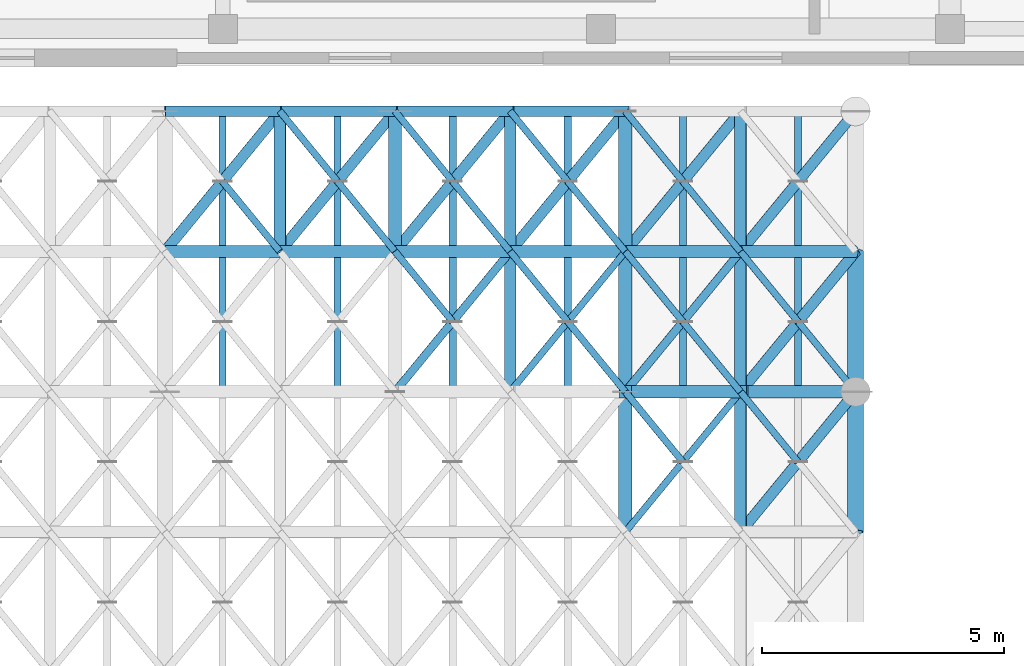
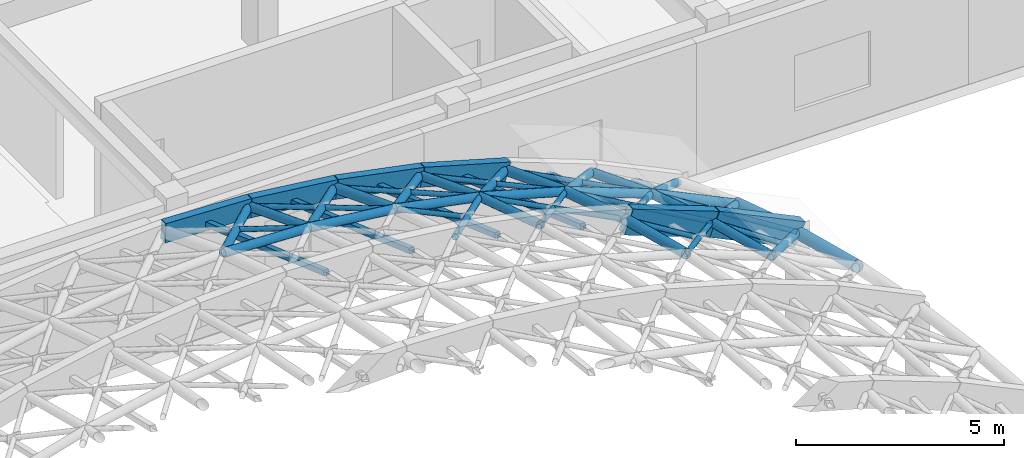
# One storey, part 73 of 146: 54 members, 6 beams.
"""IFC4 building model written with IfcOpenShell, lengths in metres."""

import ifcopenshell
import ifcopenshell.guid

model = None  # the IFC model being written
_history = None  # IfcOwnerHistory: only IFC2X3 demands one
_inside = {}  # id of a spatial element -> (the spatial element, [elements in it])
_under = {}  # id of a project, library or spatial element -> (it, [spatial elements below it])
_declared = {}  # id of a project -> (the project, [libraries it declares])
_typed = {}  # id of a type object -> (the type object, [elements of that type])
_made_of = {}  # id of a material, layer set ... -> (it, [elements and type objects made of it])


def new_model(schema):
    """Start an empty IFC model of exactly this schema.

    Asked for "IFC4X3", IfcOpenShell would pick the latest addendum, in which some entities
    have other attributes; the version numbers below select the first issue.
    IFC2X3 requires an IfcOwnerHistory on every rooted entity: one is made here for all.
    """
    global model, _history
    if schema == "IFC4X3":
        model = ifcopenshell.file(schema_version=(4, 3, 0, 0))
    else:
        model = ifcopenshell.file(schema=schema)
    _inside.clear()
    _under.clear()
    _declared.clear()
    _typed.clear()
    _made_of.clear()
    _history = None
    if model.schema == "IFC2X3":
        org = make("IfcOrganization", Name="unknown")
        user = make(
            "IfcPersonAndOrganization",
            ThePerson=make("IfcPerson", FamilyName="unknown"),
            TheOrganization=org,
        )
        app = make(
            "IfcApplication",
            ApplicationDeveloper=org,
            Version="unknown",
            ApplicationFullName="unknown",
            ApplicationIdentifier="unknown",
        )
        _history = make(
            "IfcOwnerHistory",
            OwningUser=user,
            OwningApplication=app,
            ChangeAction="ADDED",
            CreationDate=0,
        )
    return model


def make(cls, **values):
    """One entity of the class cls with the attributes given. An attribute that is None is left unset."""
    return model.create_entity(
        cls, **{name: value for name, value in values.items() if value is not None}
    )


def rooted(cls, **values):
    """An entity with a GlobalId (a new one), such as an element, a storey or a relation."""
    return make(cls, GlobalId=ifcopenshell.guid.new(), OwnerHistory=_history, **values)


def si_unit(unit_type, name, prefix=None):
    """IfcSIUnit, for example si_unit("LENGTHUNIT", "METRE", prefix="MILLI")."""
    return make("IfcSIUnit", UnitType=unit_type, Prefix=prefix, Name=name)


def assignment(units):
    """IfcUnitAssignment: the units of a project."""
    return None if units is None else make("IfcUnitAssignment", Units=units)


def point(xyz):
    """IfcCartesianPoint."""
    return None if xyz is None else make("IfcCartesianPoint", Coordinates=xyz)


def direction(xyz):
    """IfcDirection."""
    return None if xyz is None else make("IfcDirection", DirectionRatios=xyz)


def frame(location, z_axis=None, x_axis=None):
    """IfcAxis2Placement3D, a coordinate frame: its origin and axes. An axis left out is left unset."""
    return make(
        "IfcAxis2Placement3D",
        Location=point(location),
        Axis=direction(z_axis),
        RefDirection=direction(x_axis),
    )


def frame_2d(location, x_axis=None):
    """IfcAxis2Placement2D, a coordinate frame in the plane: its origin and x axis."""
    return make(
        "IfcAxis2Placement2D", Location=point(location), RefDirection=direction(x_axis)
    )


def origin():
    """The frame at (0, 0, 0) with its axes left unset."""
    return frame((0.0, 0.0, 0.0))


def origin_2d():
    """The frame at (0, 0) in the plane with its x axis left unset."""
    return frame_2d((0.0, 0.0))


def place(relative_to, where):
    """IfcLocalPlacement: puts the frame where relative to a parent placement (None: the world)."""
    return make(
        "IfcLocalPlacement", PlacementRelTo=relative_to, RelativePlacement=where
    )


def context(
    kind, dimensions, precision=None, world=None, true_north=None, identifier=None
):
    """IfcGeometricRepresentationContext, for example the 3D "Model" context."""
    return make(
        "IfcGeometricRepresentationContext",
        ContextIdentifier=identifier,
        ContextType=kind,
        CoordinateSpaceDimension=dimensions,
        Precision=precision,
        WorldCoordinateSystem=world,
        TrueNorth=true_north,
    )


def subcontext(parent, identifier, kind, view, scale=None):
    """IfcGeometricRepresentationSubContext, for example "Body" below "Model"."""
    return make(
        "IfcGeometricRepresentationSubContext",
        ContextIdentifier=identifier,
        ContextType=kind,
        ParentContext=parent,
        TargetScale=scale,
        TargetView=view,
    )


def project(units=None, contexts=None):
    """IfcProject with its units and contexts."""
    return rooted(
        "IfcProject",
        Name="project",
        RepresentationContexts=contexts,
        UnitsInContext=assignment(units),
    )


def spatial(cls, under=None, at=None, **own):
    """A site, building, storey or space (cls), placed at a placement, below another one or the project."""
    s = rooted(cls, ObjectPlacement=at, **own)
    if under is not None:
        _under.setdefault(under.id(), (under, []))[1].append(s)
    return s


def profile(cls, at=None, kind="AREA", **sizes):
    """A parametric profile (cls). Its sizes go by their IFC names, for example OverallWidth=200.0."""
    return make(cls, ProfileType=kind, Position=at, **sizes)


def rectangle(**sizes):
    """IfcRectangleProfileDef."""
    return profile("IfcRectangleProfileDef", **sizes)


def hollow_rectangle(**sizes):
    """IfcRectangleHollowProfileDef."""
    return profile("IfcRectangleHollowProfileDef", **sizes)


def hollow_circle(**sizes):
    """IfcCircleHollowProfileDef."""
    return profile("IfcCircleHollowProfileDef", **sizes)


def extrude(swept, where, along, depth):
    """IfcExtrudedAreaSolid: the profile swept, set in the frame where, extruded along a direction by depth."""
    return make(
        "IfcExtrudedAreaSolid",
        SweptArea=swept,
        Position=where,
        ExtrudedDirection=direction(along),
        Depth=depth,
    )


def shape(context_of_items, identifier, shape_type, items):
    """IfcShapeRepresentation: the items that make up one representation, for example the "Body"."""
    return make(
        "IfcShapeRepresentation",
        ContextOfItems=context_of_items,
        RepresentationIdentifier=identifier,
        RepresentationType=shape_type,
        Items=items,
    )


def material(Name=None, Category=None):
    """IfcMaterial."""
    return make("IfcMaterial", Name=Name, Category=Category)


def material_profile(
    of_material, cross_section, Name=None, Category=None, Priority=None
):
    """IfcMaterialProfile: a cross section and its material."""
    return make(
        "IfcMaterialProfile",
        Name=Name,
        Material=of_material,
        Profile=cross_section,
        Priority=Priority,
        Category=Category,
    )


def profile_set(profiles, Name=None, composite=None):
    """IfcMaterialProfileSet."""
    return make(
        "IfcMaterialProfileSet",
        Name=Name,
        MaterialProfiles=profiles,
        CompositeProfile=composite,
    )


def made_of(thing, what):
    """Note that an element or type object is made of a material, layer set ...; save() writes the relation."""
    if what is not None:
        _made_of.setdefault(what.id(), (what, []))[1].append(thing)
    return thing


def type_object(cls, material=None, **own):
    """A type object (cls), such as IfcWallType, which elements share."""
    return made_of(rooted(cls, **own), material)


def element(
    cls,
    number,
    at=None,
    inside=None,
    cuts=None,
    type_object=None,
    material=None,
    context=None,
    identifier="Body",
    shape_type=None,
    held_by="IfcProductDefinitionShape",
    body=None,
    shapes=None,
    **own,
):
    """One element of the class cls, such as IfcWall. Its Tag is "e" and its number.

    at: its placement. inside: the storey or other place that contains it. cuts: it is an
    opening in that element (IfcRelVoidsElement). A single representation is given by context,
    identifier, shape_type and body (its items); several are given by shapes. held_by: the class
    of the entity that holds the representations. save() writes the other relations.
    """
    e = rooted(cls, Tag="e%d" % number, ObjectPlacement=at, **own)
    if body is not None:
        shapes = [shape(context, identifier, shape_type, body)]
    if shapes is not None:
        e.Representation = make(held_by, Representations=shapes)
    if inside is not None:
        _inside.setdefault(inside.id(), (inside, []))[1].append(e)
    if cuts is not None:
        rooted(
            "IfcRelVoidsElement", RelatingBuildingElement=cuts, RelatedOpeningElement=e
        )
    if type_object is not None:
        _typed.setdefault(type_object.id(), (type_object, []))[1].append(e)
    return made_of(e, material)


def aggregate(whole, parts):
    """IfcRelAggregates: a whole, such as a stair, and the parts it consists of."""
    return rooted("IfcRelAggregates", RelatingObject=whole, RelatedObjects=parts)


def save(model, path):
    """Write the relations noted so far, then the file.

    IfcRelAggregates (storeys below a building ...), IfcRelContainedInSpatialStructure (elements
    in a storey), IfcRelDefinesByType, IfcRelAssociatesMaterial and IfcRelDeclares: one each for
    every whole, place, type object, material and project.
    """
    for whole, parts in _under.values():
        aggregate(whole, parts)
    for where, things in _inside.values():
        rooted(
            "IfcRelContainedInSpatialStructure",
            RelatedElements=things,
            RelatingStructure=where,
        )
    for kind, things in _typed.values():
        rooted("IfcRelDefinesByType", RelatedObjects=things, RelatingType=kind)
    for what, things in _made_of.values():
        rooted("IfcRelAssociatesMaterial", RelatedObjects=things, RelatingMaterial=what)
    for by, libraries in _declared.values():
        rooted("IfcRelDeclares", RelatingContext=by, RelatedDefinitions=libraries)
    model.write(path)


model = new_model("IFC4")

# Units and contexts
model_context = context("Model", 3, precision=1e-05, world=origin(), true_north=direction((0.0, 1.0)))
body_context = subcontext(model_context, "Body", "Model", "MODEL_VIEW")
ifc_project = project(units=[si_unit("LENGTHUNIT", "METRE"), si_unit("AREAUNIT", "SQUARE_METRE"), si_unit("VOLUMEUNIT", "CUBIC_METRE"), si_unit("PLANEANGLEUNIT", "RADIAN"), si_unit("MASSUNIT", "GRAM", prefix="KILO")], contexts=[model_context])

# Site, building, storey
site_placement = place(None, origin())
site = spatial("IfcSite", under=ifc_project, at=site_placement, CompositionType="ELEMENT")
building_placement = place(site_placement, origin())
building = spatial("IfcBuilding", under=site, at=building_placement, Name="Valcora Specialist Clinic", CompositionType="ELEMENT")
storey_placement = place(building_placement, frame((0.0, 0.0, 9.52001953125)))
storey = spatial("IfcBuildingStorey", under=building, at=storey_placement, Name="L02", CompositionType="ELEMENT", Elevation=9.52001953125)

# Beams
ifc_material_1 = material(Name="Glulam Conifer Class 24F", Category="wood")
ifc_material_profile_1 = material_profile(ifc_material_1, rectangle(XDim=0.219970703125, YDim=0.56005859375, at=origin_2d()), Name="GL-ARC-220X560")
ifc_profile_set_1 = profile_set([ifc_material_profile_1], Name="Glulam Conifer Class 24F")
beam_type_1 = type_object("IfcBeamType", Name="TY-AR-GL560", PredefinedType="JOIST", material=ifc_profile_set_1)
beam_1_placement = place(storey_placement, frame((15.0, 79.25, 4.295166015625), z_axis=(0.999229898969, 0.0, -0.039237851707), x_axis=(0.0, 1.0, 0.0)))
element("IfcBeam", 1, at=beam_1_placement, inside=storey, type_object=beam_type_1, Name="Gridshell glulam arch chord BM-GSA-091", PredefinedType="JOIST", context=body_context, shape_type="SweptSolid", body=[
    extrude(rectangle(XDim=0.219970703125, YDim=0.56005859375, at=origin_2d()), origin(), (0.0, 0.0, 1.0), 2.376708984375),
])
beam_2_placement = place(storey_placement, frame((17.375, 79.25, 4.201904296875), z_axis=(0.993061123194, 0.0, -0.117599343536), x_axis=(0.0, 1.0, 0.0)))
element("IfcBeam", 2, at=beam_2_placement, inside=storey, type_object=beam_type_1, Name="Gridshell glulam arch chord BM-GSA-092", PredefinedType="JOIST", context=body_context, shape_type="SweptSolid", body=[
    extrude(rectangle(XDim=0.219970703125, YDim=0.56005859375, at=origin_2d()), origin(), (0.0, 0.0, 1.0), 2.3916015625),
])
beam_3_placement = place(storey_placement, frame((19.75, 79.25, 3.920654296875), z_axis=(0.980592304853, 0.0, -0.19605798036), x_axis=(0.0, 1.0, 0.0)))
element("IfcBeam", 3, at=beam_3_placement, inside=storey, type_object=beam_type_1, Name="Gridshell glulam arch chord BM-GSA-093", PredefinedType="JOIST", context=body_context, shape_type="SweptSolid", body=[
    extrude(rectangle(XDim=0.219970703125, YDim=0.56005859375, at=origin_2d()), origin(), (0.0, 0.0, 1.0), 2.422119140625),
])
beam_4_placement = place(storey_placement, frame((22.125, 79.25, 3.44580078125), z_axis=(0.961613421173, 0.0, -0.274407777259), x_axis=(0.0, 1.0, 0.0)))
element("IfcBeam", 4, at=beam_4_placement, inside=storey, type_object=beam_type_1, Name="Gridshell glulam arch chord BM-GSA-094", PredefinedType="JOIST", context=body_context, shape_type="SweptSolid", body=[
    extrude(rectangle(XDim=0.219970703125, YDim=0.56005859375, at=origin_2d()), origin(), (0.0, 0.0, 1.0), 2.4697265625),
])
ifc_material_profile_2 = material_profile(ifc_material_1, rectangle(XDim=0.260009765625, YDim=0.719970703125, at=origin_2d()), Name="GL-ARC-260X720")
ifc_profile_set_2 = profile_set([ifc_material_profile_2], Name="Glulam Conifer Class 24F")
beam_type_2 = type_object("IfcBeamType", Name="TY-AR-GL720", PredefinedType="JOIST", material=ifc_profile_set_2)
beam_5_placement = place(storey_placement, frame((24.5, 73.464111328125, 4.821044921875), z_axis=(0.935663448479, 0.0, -0.352893625871), x_axis=(0.0, 1.0, 0.0)))
element("IfcBeam", 5, at=beam_5_placement, inside=storey, type_object=beam_type_2, Name="Gridshell glulam arch chord BM-GSA-083", PredefinedType="JOIST", context=body_context, shape_type="SweptSolid", body=[
    extrude(rectangle(XDim=0.260009765625, YDim=0.719970703125, at=origin_2d()), origin(), (0.0, 0.0, 1.0), 2.538330078125),
])
beam_6_placement = place(storey_placement, frame((26.875, 73.464111328125, 3.92529296875), z_axis=(0.902225234529, 0.0, -0.431265146028), x_axis=(0.0, 1.0, 0.0)))
element("IfcBeam", 6, at=beam_6_placement, inside=storey, type_object=beam_type_2, Name="Gridshell glulam arch chord BM-GSA-084", PredefinedType="JOIST", context=body_context, shape_type="SweptSolid", body=[
    extrude(rectangle(XDim=0.260009765625, YDim=0.719970703125, at=origin_2d()), origin(), (0.0, 0.0, 1.0), 2.63232421875),
])

# Members
ifc_material_2 = material(Name="Steel ASTM A500 Grade C", Category="steel")
ifc_material_profile_3 = material_profile(ifc_material_2, hollow_circle(Radius=0.1220703125, WallThickness=0.010009765625, at=origin_2d()), Name="ST-CHS-244X10")
ifc_profile_set_3 = profile_set([ifc_material_profile_3], Name="Steel ASTM A500 Grade C")
member_type_1 = type_object("IfcMemberType", Name="TY-MB-GSC244", PredefinedType="CHORD", material=ifc_profile_set_3)
member_1_placement = place(storey_placement, frame((17.375, 76.35693359375, 5.324462890625), z_axis=(0.0, 0.93227902247, -0.361739995386), x_axis=(-1.0, 0.0, 0.0)))
element("IfcMember", 7, at=member_1_placement, inside=storey, type_object=member_type_1, Name="Gridshell longitudinal chord MB-L02-0112", PredefinedType="CHORD", context=body_context, shape_type="SweptSolid", body=[
    extrude(hollow_circle(Radius=0.1220703125, WallThickness=0.010009765625, at=origin_2d()), origin(), (0.0, 0.0, 1.0), 3.103271484375),
])
member_2_placement = place(storey_placement, frame((22.125, 73.464111328125, 5.498779296875), z_axis=(0.0, 0.951972538131, -0.306183419936), x_axis=(-1.0, 0.0, 0.0)))
element("IfcMember", 8, at=member_2_placement, inside=storey, type_object=member_type_1, Name="Gridshell longitudinal chord MB-L02-0139", PredefinedType="CHORD", context=body_context, shape_type="SweptSolid", body=[
    extrude(hollow_circle(Radius=0.1220703125, WallThickness=0.010009765625, at=origin_2d()), origin(), (0.0, 0.0, 1.0), 3.038818359375),
])
member_3_placement = place(storey_placement, frame((22.125, 76.35693359375, 4.568359375), z_axis=(0.0, 0.93227902247, -0.361739995386), x_axis=(-1.0, 0.0, 0.0)))
element("IfcMember", 9, at=member_3_placement, inside=storey, type_object=member_type_1, Name="Gridshell longitudinal chord MB-L02-0140", PredefinedType="CHORD", context=body_context, shape_type="SweptSolid", body=[
    extrude(hollow_circle(Radius=0.1220703125, WallThickness=0.010009765625, at=origin_2d()), origin(), (0.0, 0.0, 1.0), 3.103271484375),
])
member_4_placement = place(storey_placement, frame((26.875, 70.571044921875, 4.673583984375), z_axis=(0.0, 0.968140082086, -0.250409227983), x_axis=(-1.0, 0.0, 0.0)))
element("IfcMember", 10, at=member_4_placement, inside=storey, type_object=member_type_1, Name="Gridshell longitudinal chord MB-L02-0166", PredefinedType="CHORD", context=body_context, shape_type="SweptSolid", body=[
    extrude(hollow_circle(Radius=0.1220703125, WallThickness=0.010009765625, at=origin_2d()), origin(), (0.0, 0.0, 1.0), 2.98828125),
])
member_5_placement = place(storey_placement, frame((26.875, 73.464111328125, 3.92529296875), z_axis=(0.0, 0.95199595387, -0.30611060716), x_axis=(-1.0, 0.0, 0.0)))
element("IfcMember", 11, at=member_5_placement, inside=storey, type_object=member_type_1, Name="Gridshell longitudinal chord MB-L02-0167", PredefinedType="CHORD", context=body_context, shape_type="SweptSolid", body=[
    extrude(hollow_circle(Radius=0.1220703125, WallThickness=0.010009765625, at=origin_2d()), origin(), (0.0, 0.0, 1.0), 3.03857421875),
])
member_6_placement = place(storey_placement, frame((26.875, 76.35693359375, 2.9951171875), z_axis=(0.0, 0.93227902247, -0.361739995386), x_axis=(-1.0, 0.0, 0.0)))
element("IfcMember", 12, at=member_6_placement, inside=storey, type_object=member_type_1, Name="Gridshell longitudinal chord MB-L02-0168", PredefinedType="CHORD", context=body_context, shape_type="SweptSolid", body=[
    extrude(hollow_circle(Radius=0.1220703125, WallThickness=0.010009765625, at=origin_2d()), origin(), (0.0, 0.0, 1.0), 3.103271484375),
])
member_7_placement = place(storey_placement, frame((15.0, 76.35693359375, 5.417724609375), z_axis=(0.999229898969, 0.0, -0.039237851707), x_axis=(0.0, 1.0, 0.0)))
element("IfcMember", 13, at=member_7_placement, inside=storey, type_object=member_type_1, Name="Gridshell secondary transverse chord MB-L02-0345", PredefinedType="CHORD", context=body_context, shape_type="SweptSolid", body=[
    extrude(hollow_circle(Radius=0.1220703125, WallThickness=0.010009765625, at=origin_2d()), origin(), (0.0, 0.0, 1.0), 2.376708984375),
])
member_8_placement = place(storey_placement, frame((17.375, 76.35693359375, 5.324462890625), z_axis=(0.993061123194, 0.0, -0.117599343536), x_axis=(0.0, 1.0, 0.0)))
element("IfcMember", 14, at=member_8_placement, inside=storey, type_object=member_type_1, Name="Gridshell secondary transverse chord MB-L02-0346", PredefinedType="CHORD", context=body_context, shape_type="SweptSolid", body=[
    extrude(hollow_circle(Radius=0.1220703125, WallThickness=0.010009765625, at=origin_2d()), origin(), (0.0, 0.0, 1.0), 2.3916015625),
])
member_9_placement = place(storey_placement, frame((19.75, 76.35693359375, 5.043212890625), z_axis=(0.980592304853, 0.0, -0.19605798036), x_axis=(0.0, 1.0, 0.0)))
element("IfcMember", 15, at=member_9_placement, inside=storey, type_object=member_type_1, Name="Gridshell secondary transverse chord MB-L02-0347", PredefinedType="CHORD", context=body_context, shape_type="SweptSolid", body=[
    extrude(hollow_circle(Radius=0.1220703125, WallThickness=0.010009765625, at=origin_2d()), origin(), (0.0, 0.0, 1.0), 2.422119140625),
])
member_10_placement = place(storey_placement, frame((22.125, 76.35693359375, 4.568359375), z_axis=(0.961613421173, 0.0, -0.274407777259), x_axis=(0.0, 1.0, 0.0)))
element("IfcMember", 16, at=member_10_placement, inside=storey, type_object=member_type_1, Name="Gridshell secondary transverse chord MB-L02-0348", PredefinedType="CHORD", context=body_context, shape_type="SweptSolid", body=[
    extrude(hollow_circle(Radius=0.1220703125, WallThickness=0.010009765625, at=origin_2d()), origin(), (0.0, 0.0, 1.0), 2.4697265625),
])
member_11_placement = place(storey_placement, frame((24.5, 76.35693359375, 3.890625), z_axis=(0.935695204238, 0.0, -0.352809417059), x_axis=(0.0, 1.0, 0.0)))
element("IfcMember", 17, at=member_11_placement, inside=storey, type_object=member_type_1, Name="Gridshell secondary transverse chord MB-L02-0349", PredefinedType="CHORD", context=body_context, shape_type="SweptSolid", body=[
    extrude(hollow_circle(Radius=0.1220703125, WallThickness=0.010009765625, at=origin_2d()), origin(), (0.0, 0.0, 1.0), 2.538330078125),
])
member_12_placement = place(storey_placement, frame((26.875, 76.35693359375, 2.9951171875), z_axis=(0.902225234529, 0.0, -0.431265146028), x_axis=(0.0, 1.0, 0.0)))
element("IfcMember", 18, at=member_12_placement, inside=storey, type_object=member_type_1, Name="Gridshell secondary transverse chord MB-L02-0350", PredefinedType="CHORD", context=body_context, shape_type="SweptSolid", body=[
    extrude(hollow_circle(Radius=0.1220703125, WallThickness=0.010009765625, at=origin_2d()), origin(), (0.0, 0.0, 1.0), 2.63232421875),
])
ifc_material_profile_4 = material_profile(ifc_material_2, hollow_circle(Radius=0.136474609375, WallThickness=0.011962890625, at=origin_2d()), Name="ST-CHS-273X12")
ifc_profile_set_4 = profile_set([ifc_material_profile_4], Name="Steel ASTM A500 Grade C")
member_type_2 = type_object("IfcMemberType", Name="TY-MB-GSC273", PredefinedType="CHORD", material=ifc_profile_set_4)
member_13_placement = place(storey_placement, frame((19.75, 76.35693359375, 5.043212890625), z_axis=(0.0, 0.93227902247, -0.361739995386), x_axis=(-1.0, 0.0, 0.0)))
element("IfcMember", 19, at=member_13_placement, inside=storey, type_object=member_type_2, Name="Gridshell longitudinal chord MB-L02-0126", PredefinedType="CHORD", context=body_context, shape_type="SweptSolid", body=[
    extrude(hollow_circle(Radius=0.136474609375, WallThickness=0.011962890625, at=origin_2d()), origin(), (0.0, 0.0, 1.0), 3.103271484375),
])
member_14_placement = place(storey_placement, frame((24.5, 70.571044921875, 5.5693359375), z_axis=(0.0, 0.968140082086, -0.250409227983), x_axis=(-1.0, 0.0, 0.0)))
element("IfcMember", 20, at=member_14_placement, inside=storey, type_object=member_type_2, Name="Gridshell longitudinal chord MB-L02-0152", PredefinedType="CHORD", context=body_context, shape_type="SweptSolid", body=[
    extrude(hollow_circle(Radius=0.136474609375, WallThickness=0.011962890625, at=origin_2d()), origin(), (0.0, 0.0, 1.0), 2.98828125),
])
member_15_placement = place(storey_placement, frame((24.5, 73.464111328125, 4.821044921875), z_axis=(0.0, 0.951972538131, -0.306183419936), x_axis=(-1.0, 0.0, 0.0)))
element("IfcMember", 21, at=member_15_placement, inside=storey, type_object=member_type_2, Name="Gridshell longitudinal chord MB-L02-0153", PredefinedType="CHORD", context=body_context, shape_type="SweptSolid", body=[
    extrude(hollow_circle(Radius=0.136474609375, WallThickness=0.011962890625, at=origin_2d()), origin(), (0.0, 0.0, 1.0), 3.038818359375),
])
member_16_placement = place(storey_placement, frame((24.5, 76.35693359375, 3.890625), z_axis=(0.0, 0.93227902247, -0.361739995386), x_axis=(-1.0, 0.0, 0.0)))
element("IfcMember", 22, at=member_16_placement, inside=storey, type_object=member_type_2, Name="Gridshell longitudinal chord MB-L02-0154", PredefinedType="CHORD", context=body_context, shape_type="SweptSolid", body=[
    extrude(hollow_circle(Radius=0.136474609375, WallThickness=0.011962890625, at=origin_2d()), origin(), (0.0, 0.0, 1.0), 3.103271484375),
])
ifc_material_profile_5 = material_profile(ifc_material_2, hollow_circle(Radius=0.162109375, WallThickness=0.011962890625, at=origin_2d()), Name="ST-CHS-324X12")
ifc_profile_set_5 = profile_set([ifc_material_profile_5], Name="Steel ASTM A500 Grade C")
member_type_3 = type_object("IfcMemberType", Name="TY-MB-GSC324", PredefinedType="CHORD", material=ifc_profile_set_5)
member_17_placement = place(storey_placement, frame((29.25, 70.571044921875, 3.538330078125), z_axis=(0.0, 0.968140082086, -0.250409227983), x_axis=(-1.0, 0.0, 0.0)))
element("IfcMember", 23, at=member_17_placement, inside=storey, type_object=member_type_3, Name="Gridshell longitudinal chord MB-L02-0180", PredefinedType="CHORD", context=body_context, shape_type="SweptSolid", body=[
    extrude(hollow_circle(Radius=0.162109375, WallThickness=0.011962890625, at=origin_2d()), origin(), (0.0, 0.0, 1.0), 2.98828125),
])
member_18_placement = place(storey_placement, frame((29.25, 73.464111328125, 2.7900390625), z_axis=(0.0, 0.95199595387, -0.30611060716), x_axis=(-1.0, 0.0, 0.0)))
element("IfcMember", 24, at=member_18_placement, inside=storey, type_object=member_type_3, Name="Gridshell longitudinal chord MB-L02-0181", PredefinedType="CHORD", context=body_context, shape_type="SweptSolid", body=[
    extrude(hollow_circle(Radius=0.162109375, WallThickness=0.011962890625, at=origin_2d()), origin(), (0.0, 0.0, 1.0), 3.03857421875),
])
ifc_material_profile_6 = material_profile(ifc_material_2, hollow_circle(Radius=0.070068359375, WallThickness=0.006103515625, at=origin_2d()), Name="ST-CHS-140X6")
ifc_profile_set_6 = profile_set([ifc_material_profile_6], Name="Steel ASTM A500 Grade C")
member_type_4 = type_object("IfcMemberType", Name="TY-MB-GSD140", PredefinedType="BRACE", material=ifc_profile_set_6)
member_19_placement = place(storey_placement, frame((17.375, 76.35693359375, 5.324462890625), z_axis=(-0.611798320584, 0.745251860498, -0.265146147161), x_axis=(-0.772915884105, -0.634508499626, 0.0)))
element("IfcMember", 25, at=member_19_placement, inside=storey, type_object=member_type_4, Name="Gridshell split counter diagrid A MB-L02-0546", PredefinedType="BRACE", context=body_context, shape_type="SweptSolid", body=[
    extrude(hollow_circle(Radius=0.070068359375, WallThickness=0.006103515625, at=origin_2d()), origin(), (0.0, 0.0, 1.0), 1.94091796875),
])
member_20_placement = place(storey_placement, frame((19.75, 76.35693359375, 5.043212890625), z_axis=(-0.619063790551, 0.75410217085, -0.219294184029), x_axis=(-0.772915884105, -0.634508499626, 0.0)))
element("IfcMember", 26, at=member_20_placement, inside=storey, type_object=member_type_4, Name="Gridshell split counter diagrid A MB-L02-0574", PredefinedType="BRACE", context=body_context, shape_type="SweptSolid", body=[
    extrude(hollow_circle(Radius=0.070068359375, WallThickness=0.006103515625, at=origin_2d()), origin(), (0.0, 0.0, 1.0), 1.918212890625),
])
member_21_placement = place(storey_placement, frame((22.125, 76.35693359375, 4.568359375), z_axis=(-0.625223806606, 0.761605891065, -0.170445470304), x_axis=(-0.772915884105, -0.634508499626, 0.0)))
element("IfcMember", 27, at=member_21_placement, inside=storey, type_object=member_type_4, Name="Gridshell split counter diagrid A MB-L02-0602", PredefinedType="BRACE", context=body_context, shape_type="SweptSolid", body=[
    extrude(hollow_circle(Radius=0.070068359375, WallThickness=0.006103515625, at=origin_2d()), origin(), (0.0, 0.0, 1.0), 1.8994140625),
])
member_22_placement = place(storey_placement, frame((22.125, 73.464111328125, 5.498779296875), z_axis=(0.583005016039, 0.710117848997, -0.394762956481), x_axis=(-0.772889622479, 0.634540488436, 0.0)))
element("IfcMember", 28, at=member_22_placement, inside=storey, type_object=member_type_4, Name="Gridshell primary diagrid MB-L02-0627", PredefinedType="BRACE", context=body_context, shape_type="SweptSolid", body=[
    extrude(hollow_circle(Radius=0.070068359375, WallThickness=0.006103515625, at=origin_2d()), origin(), (0.0, 0.0, 1.0), 4.07373046875),
])
member_23_placement = place(storey_placement, frame((24.5, 73.464111328125, 4.821044921875), z_axis=(-0.633128364926, 0.77110452998, -0.067426088206), x_axis=(-0.772863356881, -0.634572479384, 0.0)))
element("IfcMember", 29, at=member_23_placement, inside=storey, type_object=member_type_4, Name="Gridshell split counter diagrid A MB-L02-0628", PredefinedType="BRACE", context=body_context, shape_type="SweptSolid", body=[
    extrude(hollow_circle(Radius=0.070068359375, WallThickness=0.006103515625, at=origin_2d()), origin(), (0.0, 0.0, 1.0), 1.87548828125),
])
member_24_placement = place(storey_placement, frame((24.5, 76.35693359375, 3.890625), z_axis=(-0.630074850301, 0.76751510856, -0.118009496017), x_axis=(-0.772915884105, -0.634508499626, 0.0)))
element("IfcMember", 30, at=member_24_placement, inside=storey, type_object=member_type_4, Name="Gridshell split counter diagrid A MB-L02-0630", PredefinedType="BRACE", context=body_context, shape_type="SweptSolid", body=[
    extrude(hollow_circle(Radius=0.070068359375, WallThickness=0.006103515625, at=origin_2d()), origin(), (0.0, 0.0, 1.0), 1.884765625),
])
member_25_placement = place(storey_placement, frame((24.5, 70.571044921875, 5.5693359375), z_axis=(0.580941027046, 0.707663566046, -0.402144004536), x_axis=(-0.772915884105, 0.634508499626, 0.0)))
element("IfcMember", 31, at=member_25_placement, inside=storey, type_object=member_type_4, Name="Gridshell primary diagrid MB-L02-0653", PredefinedType="BRACE", context=body_context, shape_type="SweptSolid", body=[
    extrude(hollow_circle(Radius=0.070068359375, WallThickness=0.006103515625, at=origin_2d()), origin(), (0.0, 0.0, 1.0), 4.088134765625),
])
member_26_placement = place(storey_placement, frame((26.875, 73.464111328125, 3.92529296875), z_axis=(-0.634545257679, 0.772830202814, -0.009262482174), x_axis=(-0.772863356881, -0.634572479384, 0.0)))
element("IfcMember", 32, at=member_26_placement, inside=storey, type_object=member_type_4, Name="Gridshell split counter diagrid A MB-L02-0656", PredefinedType="BRACE", context=body_context, shape_type="SweptSolid", body=[
    extrude(hollow_circle(Radius=0.070068359375, WallThickness=0.006103515625, at=origin_2d()), origin(), (0.0, 0.0, 1.0), 1.871337890625),
])
member_27_placement = place(storey_placement, frame((26.875, 76.35693359375, 2.9951171875), z_axis=(-0.633344361205, 0.771497808417, -0.060547929268), x_axis=(-0.772915884105, -0.634508499626, 0.0)))
element("IfcMember", 33, at=member_27_placement, inside=storey, type_object=member_type_4, Name="Gridshell split counter diagrid A MB-L02-0658", PredefinedType="BRACE", context=body_context, shape_type="SweptSolid", body=[
    extrude(hollow_circle(Radius=0.070068359375, WallThickness=0.006103515625, at=origin_2d()), origin(), (0.0, 0.0, 1.0), 1.875),
])
member_28_placement = place(storey_placement, frame((29.25, 73.464111328125, 2.7900390625), z_axis=(-0.633621987222, 0.771705726214, 0.054712424884), x_axis=(-0.772863356881, -0.634572479384, 0.0)))
element("IfcMember", 34, at=member_28_placement, inside=storey, type_object=member_type_4, Name="Gridshell split counter diagrid A MB-L02-0684", PredefinedType="BRACE", context=body_context, shape_type="SweptSolid", body=[
    extrude(hollow_circle(Radius=0.070068359375, WallThickness=0.006103515625, at=origin_2d()), origin(), (0.0, 0.0, 1.0), 1.874267578125),
])
member_29_placement = place(storey_placement, frame((18.5625, 77.803466796875, 4.62255859375), z_axis=(-0.619063790551, 0.75410217085, -0.219294184029), x_axis=(-0.772915884105, -0.634508499626, 0.0)))
element("IfcMember", 35, at=member_29_placement, inside=storey, type_object=member_type_4, Name="Gridshell split counter diagrid B 112", PredefinedType="BRACE", context=body_context, shape_type="SweptSolid", body=[
    extrude(hollow_circle(Radius=0.070068359375, WallThickness=0.006103515625, at=origin_2d()), origin(), (0.0, 0.0, 1.0), 1.918212890625),
])
member_30_placement = place(storey_placement, frame((20.9375, 74.910400390625, 5.27099609375), z_axis=(-0.62986050141, 0.767254003053, -0.120818225291), x_axis=(-0.772915884105, -0.634508499626, 0.0)))
element("IfcMember", 36, at=member_30_placement, inside=storey, type_object=member_type_4, Name="Gridshell split counter diagrid B 125", PredefinedType="BRACE", context=body_context, shape_type="SweptSolid", body=[
    extrude(hollow_circle(Radius=0.070068359375, WallThickness=0.006103515625, at=origin_2d()), origin(), (0.0, 0.0, 1.0), 1.88525390625),
])
member_31_placement = place(storey_placement, frame((20.9375, 77.803466796875, 4.24462890625), z_axis=(-0.62521010371, 0.761589199112, -0.170570272949), x_axis=(-0.772915884105, -0.634508499626, 0.0)))
element("IfcMember", 37, at=member_31_placement, inside=storey, type_object=member_type_4, Name="Gridshell split counter diagrid B 126", PredefinedType="BRACE", context=body_context, shape_type="SweptSolid", body=[
    extrude(hollow_circle(Radius=0.070068359375, WallThickness=0.006103515625, at=origin_2d()), origin(), (0.0, 0.0, 1.0), 1.8994140625),
])
member_32_placement = place(storey_placement, frame((23.3125, 74.910400390625, 4.694580078125), z_axis=(-0.633070370684, 0.771164051461, -0.067289757739), x_axis=(-0.772915884105, -0.634508499626, 0.0)))
element("IfcMember", 38, at=member_32_placement, inside=storey, type_object=member_type_4, Name="Gridshell split counter diagrid B 139", PredefinedType="BRACE", context=body_context, shape_type="SweptSolid", body=[
    extrude(hollow_circle(Radius=0.070068359375, WallThickness=0.006103515625, at=origin_2d()), origin(), (0.0, 0.0, 1.0), 1.875732421875),
])
member_33_placement = place(storey_placement, frame((23.3125, 77.803466796875, 3.668212890625), z_axis=(-0.630074850301, 0.76751510856, -0.118009496017), x_axis=(-0.772915884105, -0.634508499626, 0.0)))
element("IfcMember", 39, at=member_33_placement, inside=storey, type_object=member_type_4, Name="Gridshell split counter diagrid B 140", PredefinedType="BRACE", context=body_context, shape_type="SweptSolid", body=[
    extrude(hollow_circle(Radius=0.070068359375, WallThickness=0.006103515625, at=origin_2d()), origin(), (0.0, 0.0, 1.0), 1.884765625),
])
member_34_placement = place(storey_placement, frame((25.6875, 72.017578125, 4.747314453125), z_axis=(-0.634016682193, 0.77231678495, 0.039365344988), x_axis=(-0.772915884105, -0.634508499626, 0.0)))
element("IfcMember", 40, at=member_34_placement, inside=storey, type_object=member_type_4, Name="Gridshell split counter diagrid B 152", PredefinedType="BRACE", context=body_context, shape_type="SweptSolid", body=[
    extrude(hollow_circle(Radius=0.070068359375, WallThickness=0.006103515625, at=origin_2d()), origin(), (0.0, 0.0, 1.0), 1.873046875),
])
member_35_placement = place(storey_placement, frame((25.6875, 74.910400390625, 3.907958984375), z_axis=(-0.634481286154, 0.77288273447, -0.009261548379), x_axis=(-0.772915884105, -0.634508499626, 0.0)))
element("IfcMember", 41, at=member_35_placement, inside=storey, type_object=member_type_4, Name="Gridshell split counter diagrid B 153", PredefinedType="BRACE", context=body_context, shape_type="SweptSolid", body=[
    extrude(hollow_circle(Radius=0.070068359375, WallThickness=0.006103515625, at=origin_2d()), origin(), (0.0, 0.0, 1.0), 1.87158203125),
])
member_36_placement = place(storey_placement, frame((25.6875, 77.803466796875, 2.881591796875), z_axis=(-0.633344361205, 0.771497808417, -0.060547929268), x_axis=(-0.772915884105, -0.634508499626, 0.0)))
element("IfcMember", 42, at=member_36_placement, inside=storey, type_object=member_type_4, Name="Gridshell split counter diagrid B 154", PredefinedType="BRACE", context=body_context, shape_type="SweptSolid", body=[
    extrude(hollow_circle(Radius=0.070068359375, WallThickness=0.006103515625, at=origin_2d()), origin(), (0.0, 0.0, 1.0), 1.875),
])
member_37_placement = place(storey_placement, frame((28.0625, 72.017578125, 3.73193359375), z_axis=(-0.631148914648, 0.768823462025, 0.102769313405), x_axis=(-0.772915884105, -0.634508499626, 0.0)))
element("IfcMember", 43, at=member_37_placement, inside=storey, type_object=member_type_4, Name="Gridshell split counter diagrid B 166", PredefinedType="BRACE", context=body_context, shape_type="SweptSolid", body=[
    extrude(hollow_circle(Radius=0.070068359375, WallThickness=0.006103515625, at=origin_2d()), origin(), (0.0, 0.0, 1.0), 1.881591796875),
])
member_38_placement = place(storey_placement, frame((28.0625, 74.910400390625, 2.892578125), z_axis=(-0.633558294502, 0.771758407673, 0.054706925101), x_axis=(-0.772915884105, -0.634508499626, 0.0)))
element("IfcMember", 44, at=member_38_placement, inside=storey, type_object=member_type_4, Name="Gridshell split counter diagrid B 167", PredefinedType="BRACE", context=body_context, shape_type="SweptSolid", body=[
    extrude(hollow_circle(Radius=0.070068359375, WallThickness=0.006103515625, at=origin_2d()), origin(), (0.0, 0.0, 1.0), 1.874267578125),
])
ifc_material_profile_7 = material_profile(ifc_material_2, hollow_circle(Radius=0.083984375, WallThickness=0.008056640625, at=origin_2d()), Name="ST-CHS-168X8")
ifc_profile_set_7 = profile_set([ifc_material_profile_7], Name="Steel ASTM A500 Grade C")
member_type_5 = type_object("IfcMemberType", Name="TY-MB-GSD168", PredefinedType="BRACE", material=ifc_profile_set_7)
member_39_placement = place(storey_placement, frame((19.75, 73.464111328125, 5.973388671875), z_axis=(0.594062838159, 0.723586612803, -0.351442396547), x_axis=(-0.772889622479, 0.634540488436, 0.0)))
element("IfcMember", 45, at=member_39_placement, inside=storey, type_object=member_type_5, Name="Gridshell primary diagrid MB-L02-0599", PredefinedType="BRACE", context=body_context, shape_type="SweptSolid", body=[
    extrude(hollow_circle(Radius=0.083984375, WallThickness=0.008056640625, at=origin_2d()), origin(), (0.0, 0.0, 1.0), 3.997802734375),
])
member_40_placement = place(storey_placement, frame((24.5, 73.464111328125, 4.821044921875), z_axis=(0.570296595285, 0.694638605832, -0.438450682169), x_axis=(-0.772889622479, 0.634540488436, 0.0)))
element("IfcMember", 46, at=member_40_placement, inside=storey, type_object=member_type_5, Name="Gridshell primary diagrid MB-L02-0655", PredefinedType="BRACE", context=body_context, shape_type="SweptSolid", body=[
    extrude(hollow_circle(Radius=0.083984375, WallThickness=0.008056640625, at=origin_2d()), origin(), (0.0, 0.0, 1.0), 4.16455078125),
])
ifc_material_profile_8 = material_profile(ifc_material_2, hollow_circle(Radius=0.109619140625, WallThickness=0.010009765625, at=origin_2d()), Name="ST-CHS-219X10")
ifc_profile_set_8 = profile_set([ifc_material_profile_8], Name="Steel ASTM A500 Grade C")
member_type_6 = type_object("IfcMemberType", Name="TY-MB-GSD219", PredefinedType="BRACE", material=ifc_profile_set_8)
member_41_placement = place(storey_placement, frame((15.0, 76.35693359375, 5.417724609375), z_axis=(0.603471061066, 0.735108149017, -0.308931525916), x_axis=(-0.772915884105, 0.634508499626, 0.0)))
element("IfcMember", 47, at=member_41_placement, inside=storey, type_object=member_type_6, Name="Gridshell primary diagrid MB-L02-0545", PredefinedType="BRACE", context=body_context, shape_type="SweptSolid", body=[
    extrude(hollow_circle(Radius=0.109619140625, WallThickness=0.010009765625, at=origin_2d()), origin(), (0.0, 0.0, 1.0), 3.935546875),
])
member_42_placement = place(storey_placement, frame((17.375, 76.35693359375, 5.324462890625), z_axis=(0.594100310582, 0.723693326521, -0.351159209071), x_axis=(-0.772915884105, 0.634508499626, 0.0)))
element("IfcMember", 48, at=member_42_placement, inside=storey, type_object=member_type_6, Name="Gridshell primary diagrid MB-L02-0573", PredefinedType="BRACE", context=body_context, shape_type="SweptSolid", body=[
    extrude(hollow_circle(Radius=0.109619140625, WallThickness=0.010009765625, at=origin_2d()), origin(), (0.0, 0.0, 1.0), 3.99755859375),
])
member_43_placement = place(storey_placement, frame((19.75, 76.35693359375, 5.043212890625), z_axis=(0.583585933879, 0.710885414932, -0.392516731637), x_axis=(-0.772915884105, 0.634508499626, 0.0)))
element("IfcMember", 49, at=member_43_placement, inside=storey, type_object=member_type_6, Name="Gridshell primary diagrid MB-L02-0601", PredefinedType="BRACE", context=body_context, shape_type="SweptSolid", body=[
    extrude(hollow_circle(Radius=0.109619140625, WallThickness=0.010009765625, at=origin_2d()), origin(), (0.0, 0.0, 1.0), 4.069580078125),
])
member_44_placement = place(storey_placement, frame((22.125, 76.35693359375, 4.568359375), z_axis=(0.571807725967, 0.696537988559, -0.433440601488), x_axis=(-0.772915884105, 0.634508499626, 0.0)))
element("IfcMember", 50, at=member_44_placement, inside=storey, type_object=member_type_6, Name="Gridshell primary diagrid MB-L02-0629", PredefinedType="BRACE", context=body_context, shape_type="SweptSolid", body=[
    extrude(hollow_circle(Radius=0.109619140625, WallThickness=0.010009765625, at=origin_2d()), origin(), (0.0, 0.0, 1.0), 4.153564453125),
])
member_45_placement = place(storey_placement, frame((24.5, 76.35693359375, 3.890625), z_axis=(0.558505905222, 0.680334598775, -0.474569265272), x_axis=(-0.772915884105, 0.634508499626, 0.0)))
element("IfcMember", 51, at=member_45_placement, inside=storey, type_object=member_type_6, Name="Gridshell primary diagrid MB-L02-0657", PredefinedType="BRACE", context=body_context, shape_type="SweptSolid", body=[
    extrude(hollow_circle(Radius=0.109619140625, WallThickness=0.010009765625, at=origin_2d()), origin(), (0.0, 0.0, 1.0), 4.25244140625),
])
member_46_placement = place(storey_placement, frame((26.875, 70.571044921875, 4.673583984375), z_axis=(0.56679188261, 0.690428023122, -0.449506514631), x_axis=(-0.772915884105, 0.634508499626, 0.0)))
element("IfcMember", 52, at=member_46_placement, inside=storey, type_object=member_type_6, Name="Gridshell primary diagrid MB-L02-0681", PredefinedType="BRACE", context=body_context, shape_type="SweptSolid", body=[
    extrude(hollow_circle(Radius=0.109619140625, WallThickness=0.010009765625, at=origin_2d()), origin(), (0.0, 0.0, 1.0), 4.190185546875),
])
member_47_placement = place(storey_placement, frame((26.875, 73.464111328125, 3.92529296875), z_axis=(0.555564364485, 0.67669430045, -0.483149108094), x_axis=(-0.772889622479, 0.634540488436, 0.0)))
element("IfcMember", 53, at=member_47_placement, inside=storey, type_object=member_type_6, Name="Gridshell primary diagrid MB-L02-0683", PredefinedType="BRACE", context=body_context, shape_type="SweptSolid", body=[
    extrude(hollow_circle(Radius=0.109619140625, WallThickness=0.010009765625, at=origin_2d()), origin(), (0.0, 0.0, 1.0), 4.27490234375),
])
member_48_placement = place(storey_placement, frame((26.875, 76.35693359375, 2.9951171875), z_axis=(0.543302213499, 0.661814476765, -0.516550387814), x_axis=(-0.772915884105, 0.634508499626, 0.0)))
element("IfcMember", 54, at=member_48_placement, inside=storey, type_object=member_type_6, Name="Gridshell primary diagrid MB-L02-0685", PredefinedType="BRACE", context=body_context, shape_type="SweptSolid", body=[
    extrude(hollow_circle(Radius=0.109619140625, WallThickness=0.010009765625, at=origin_2d()), origin(), (0.0, 0.0, 1.0), 4.371337890625),
])
ifc_material_profile_9 = material_profile(ifc_material_2, hollow_rectangle(XDim=0.14990234375, YDim=0.14990234375, WallThickness=0.006103515625, at=origin_2d()), Name="ST-RHS-150X150X6")
ifc_profile_set_9 = profile_set([ifc_material_profile_9], Name="Steel ASTM A500 Grade C")
member_type_7 = type_object("IfcMemberType", Name="TY-MB-PR150", PredefinedType="PURLIN", material=ifc_profile_set_9)
for number, where, z_axis, x_axis, name in (
    (55, (16.18798828125, 73.464111328125, 6.181396484375), (0.0, 0.942431788241, -0.33439845172), (-1.0, 0.0, 0.0), "Gridshell secondary purlin MB-L02-0231"),
    (56, (18.56201171875, 73.464111328125, 5.994140625), (0.0, 0.942431788241, -0.33439845172), (-1.0, 0.0, 0.0), "Gridshell secondary purlin MB-L02-0238"),
):
    element("IfcMember", number, at=place(storey_placement, frame(where, z_axis=z_axis, x_axis=x_axis)), inside=storey, type_object=member_type_7, Name=name, PredefinedType="PURLIN", context=body_context, shape_type="SweptSolid", body=[
        extrude(hollow_rectangle(XDim=0.14990234375, YDim=0.14990234375, WallThickness=0.006103515625, at=origin_2d()), origin(), (0.0, 0.0, 1.0), 6.139404296875),
    ])
for number, where, z_axis, x_axis, name in (
    (57, (20.93798828125, 73.464111328125, 5.615966796875), (0.0, 0.942444320141, -0.334363131092), (-1.0, 0.0, 0.0), "Gridshell secondary purlin MB-L02-0245"),
    (58, (23.31201171875, 73.464111328125, 5.039794921875), (0.0, 0.942444320141, -0.334363131092), (-1.0, 0.0, 0.0), "Gridshell secondary purlin MB-L02-0252"),
):
    element("IfcMember", number, at=place(storey_placement, frame(where, z_axis=z_axis, x_axis=x_axis)), inside=storey, type_object=member_type_7, Name=name, PredefinedType="PURLIN", context=body_context, shape_type="SweptSolid", body=[
        extrude(hollow_rectangle(XDim=0.14990234375, YDim=0.14990234375, WallThickness=0.006103515625, at=origin_2d()), origin(), (0.0, 0.0, 1.0), 6.13916015625),
    ])
member_49_placement = place(storey_placement, frame((25.68798828125, 73.464111328125, 4.253173828125), z_axis=(0.0, 0.942431788241, -0.33439845172), x_axis=(-1.0, 0.0, 0.0)))
element("IfcMember", 59, at=member_49_placement, inside=storey, type_object=member_type_7, Name="Gridshell secondary purlin MB-L02-0259", PredefinedType="PURLIN", context=body_context, shape_type="SweptSolid", body=[
    extrude(hollow_rectangle(XDim=0.14990234375, YDim=0.14990234375, WallThickness=0.006103515625, at=origin_2d()), origin(), (0.0, 0.0, 1.0), 6.139404296875),
])
member_50_placement = place(storey_placement, frame((28.06201171875, 73.464111328125, 3.237548828125), z_axis=(0.0, 0.942444320141, -0.334363131092), x_axis=(-1.0, 0.0, 0.0)))
element("IfcMember", 60, at=member_50_placement, inside=storey, type_object=member_type_7, Name="Gridshell secondary purlin MB-L02-0266", PredefinedType="PURLIN", context=body_context, shape_type="SweptSolid", body=[
    extrude(hollow_rectangle(XDim=0.14990234375, YDim=0.14990234375, WallThickness=0.006103515625, at=origin_2d()), origin(), (0.0, 0.0, 1.0), 6.13916015625),
])

save(model, "model.ifc")
